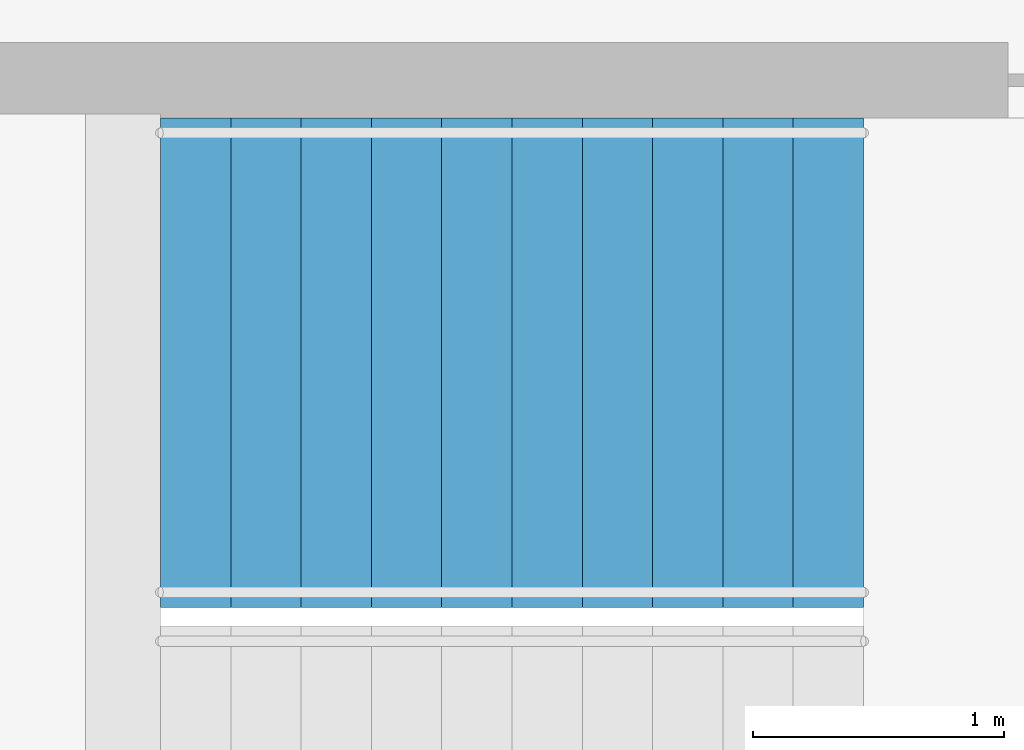
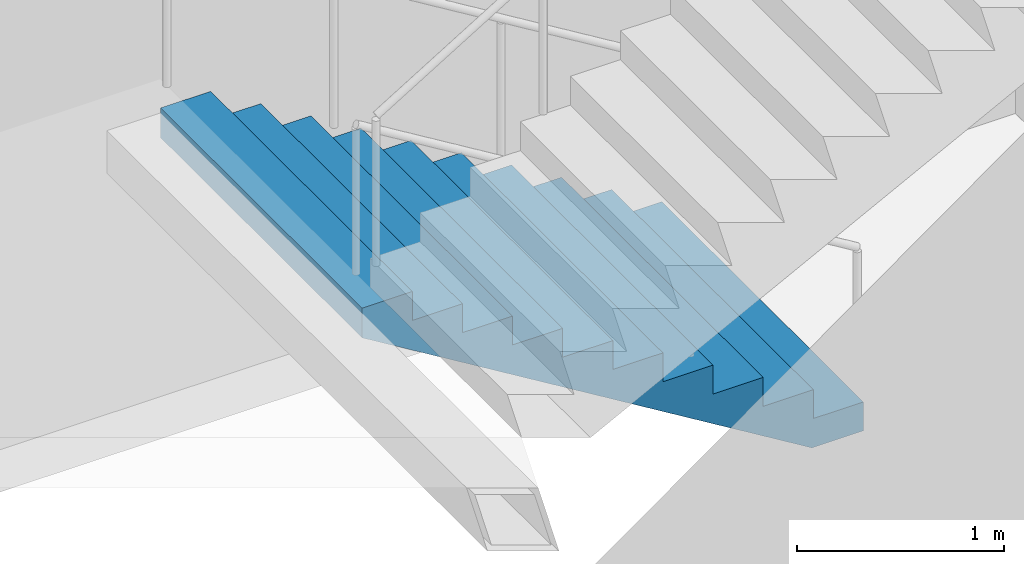
# One storey, part 20 of 21: 1 stair flight, 1 element without a shape of its own.
"""IFC4 building model written with IfcOpenShell, lengths in metres."""

from ifc_helpers import new_model, si_unit, direction, frame, origin, place, context, subcontext, project, spatial, triangles, material, type_object, element, aggregate, save


model = new_model("IFC4")

# Units and contexts
model_context = context("Model", 3, precision=1e-05, world=origin(), true_north=direction((0.0, 1.0)))
body_context = subcontext(model_context, "Body", "Model", "MODEL_VIEW")
ifc_project = project(units=[si_unit("LENGTHUNIT", "METRE"), si_unit("AREAUNIT", "SQUARE_METRE"), si_unit("VOLUMEUNIT", "CUBIC_METRE"), si_unit("PLANEANGLEUNIT", "RADIAN"), si_unit("MASSUNIT", "GRAM", prefix="KILO")], contexts=[model_context])

# Site, building, storey
site_placement = place(None, origin())
site = spatial("IfcSite", under=ifc_project, at=site_placement, CompositionType="ELEMENT")
building_placement = place(site_placement, origin())
building = spatial("IfcBuilding", under=site, at=building_placement, Name="Orbita Commons", CompositionType="ELEMENT")
storey_placement = place(building_placement, frame((0.0, 0.0, 106.89990234375)))
storey = spatial("IfcBuildingStorey", under=building, at=storey_placement, Name="L26", CompositionType="ELEMENT", Elevation=106.89990234375)

# Stair, stair flight
ifc_material_1 = material(Name="Precast concrete C40/50", Category="concrete")
stair_type = type_object("IfcStairType", Name="Exit stair S2 2 flights 11 risers 170", PredefinedType="HALF_TURN_STAIR", material=ifc_material_1)
stair_placement = place(storey_placement, origin())
stair = element("IfcStair", 1, at=stair_placement, inside=storey, type_object=stair_type, Name="Exit stair S2 L26", PredefinedType="HALF_TURN_STAIR")
ifc_material_2 = material(Name="Precast concrete C40/50", Category="concrete")
stair_flight_type = type_object("IfcStairFlightType", Name="Stair flight 11 risers 170 x 280", PredefinedType="STRAIGHT", material=ifc_material_2)
stair_flight_placement = place(storey_placement, frame((63.550048828125, 29.27490234375, 0.0), z_axis=(0.0, 0.0, 1.0), x_axis=(-1.0, 0.0, 0.0)))
stair_flight = element("IfcStairFlight", 2, at=stair_flight_placement, type_object=stair_flight_type, Name="S2 flight 1", NumberOfRisers=11, NumberOfTreads=10, PredefinedType="STRAIGHT", RiserHeight=0.170454545, TreadLength=0.28, context=body_context, shape_type="Tessellation", body=[
    triangles([(0.0, 0.974976, 0.0), (0.0, 0.974976, 0.021307), (0.0, 0.81248, 0.021307), (0.0, 0.81248, 0.0), (0.0, 0.649984, 0.021307), (0.0, 0.649984, 0.0), (0.0, 0.487488, 0.021307), (0.0, 0.487488, 0.0), (0.0, 0.324992, 0.021307), (0.0, 0.324992, 0.0), (0.0, 0.162496, 0.021307), (0.0, 0.162496, 0.0), (0.0, 0.0, 0.021307), (0.0, 0.0, 0.0), (0.0, -0.162496, 0.021307), (0.0, -0.162496, 0.0), (0.0, -0.324992, 0.021307), (0.0, -0.324992, 0.0), (0.0, -0.487488, 0.021307), (0.0, -0.487488, 0.0), (0.0, -0.649984, 0.021307), (0.0, -0.649984, 0.0), (0.0, -0.81248, 0.021307), (0.0, -0.81248, 0.0), (0.0, -0.974976, 0.021307), (0.0, -0.974976, 0.0), (0.0, 0.974976, 0.042614), (0.0, 0.81248, 0.042614), (0.0, 0.649984, 0.042614), (0.0, 0.487488, 0.042614), (0.0, 0.324992, 0.042614), (0.0, 0.162496, 0.042614), (0.0, 0.0, 0.042614), (0.0, -0.162496, 0.042614), (0.0, -0.324992, 0.042614), (0.0, -0.487488, 0.042614), (0.0, -0.649984, 0.042614), (0.0, -0.81248, 0.042614), (0.0, -0.974976, 0.042614), (0.0, 0.974976, 0.06392), (0.0, 0.81248, 0.06392), (0.0, 0.649984, 0.06392), (0.0, 0.487488, 0.06392), (0.0, 0.324992, 0.06392), (0.0, 0.162496, 0.06392), (0.0, 0.0, 0.06392), (0.0, -0.162496, 0.06392), (0.0, -0.324992, 0.06392), (0.0, -0.487488, 0.06392), (0.0, -0.649984, 0.06392), (0.0, -0.81248, 0.06392), (0.0, -0.974976, 0.06392), (0.0, 0.974976, 0.085227), (0.0, 0.81248, 0.085227), (0.0, 0.649984, 0.085227), (0.0, 0.487488, 0.085227), (0.0, 0.324992, 0.085227), (0.0, 0.162496, 0.085227), (0.0, 0.0, 0.085227), (0.0, -0.162496, 0.085227), (0.0, -0.324992, 0.085227), (0.0, -0.487488, 0.085227), (0.0, -0.649984, 0.085227), (0.0, -0.81248, 0.085227), (0.0, -0.974976, 0.085227), (0.0, 0.974976, 0.106534), (0.0, 0.81248, 0.106534), (0.0, 0.649984, 0.106534), (0.0, 0.487488, 0.106534), (0.0, 0.324992, 0.106534), (0.0, 0.162496, 0.106534), (0.0, 0.0, 0.106534), (0.0, -0.162496, 0.106534), (0.0, -0.324992, 0.106534), (0.0, -0.487488, 0.106534), (0.0, -0.649984, 0.106534), (0.0, -0.81248, 0.106534), (0.0, -0.974976, 0.106534), (0.0, 0.974976, 0.127841), (0.0, 0.81248, 0.127841), (0.0, 0.649984, 0.127841), (0.0, 0.487488, 0.127841), (0.0, 0.324992, 0.127841), (0.0, 0.162496, 0.127841), (0.0, 0.0, 0.127841), (0.0, -0.162496, 0.127841), (0.0, -0.324992, 0.127841), (0.0, -0.487488, 0.127841), (0.0, -0.649984, 0.127841), (0.0, -0.81248, 0.127841), (0.0, -0.974976, 0.127841), (0.0, 0.974976, 0.149148), (0.0, 0.81248, 0.149148), (0.0, 0.649984, 0.149148), (0.0, 0.487488, 0.149148), (0.0, 0.324992, 0.149148), (0.0, 0.162496, 0.149148), (0.0, 0.0, 0.149148), (0.0, -0.162496, 0.149148), (0.0, -0.324992, 0.149148), (0.0, -0.487488, 0.149148), (0.0, -0.649984, 0.149148), (0.0, -0.81248, 0.149148), (0.0, -0.974976, 0.149148), (0.0, 0.974976, 0.170455), (0.0, 0.81248, 0.170455), (0.0, 0.649984, 0.170455), (0.0, 0.487488, 0.170455), (0.0, 0.324992, 0.170455), (0.0, 0.162496, 0.170455), (0.0, 0.0, 0.170455), (0.0, -0.162496, 0.170455), (0.0, -0.324992, 0.170455), (0.0, -0.487488, 0.170455), (0.0, -0.649984, 0.170455), (0.0, -0.81248, 0.170455), (0.0, -0.974976, 0.170455), (0.28, 0.974976, 0.170455), (0.28, 0.81248, 0.170455), (0.28, 0.649984, 0.170455), (0.28, 0.487488, 0.170455), (0.28, 0.324992, 0.170455), (0.28, 0.162496, 0.170455), (0.28, 0.0, 0.170455), (0.28, -0.162496, 0.170455), (0.28, -0.324992, 0.170455), (0.28, -0.487488, 0.170455), (0.28, -0.649984, 0.170455), (0.28, -0.81248, 0.170455), (0.28, -0.974976, 0.170455), (0.28, 0.974976, 0.340909), (0.28, 0.81248, 0.340909), (0.28, 0.649984, 0.340909), (0.28, 0.487488, 0.340909), (0.28, 0.324992, 0.340909), (0.28, 0.162496, 0.340909), (0.28, 0.0, 0.340909), (0.28, -0.162496, 0.340909), (0.28, -0.324992, 0.340909), (0.28, -0.487488, 0.340909), (0.28, -0.649984, 0.340909), (0.28, -0.81248, 0.340909), (0.28, -0.974976, 0.340909), (0.56, 0.974976, 0.340909), (0.56, 0.81248, 0.340909), (0.56, 0.649984, 0.340909), (0.56, 0.487488, 0.340909), (0.56, 0.324992, 0.340909), (0.56, 0.162496, 0.340909), (0.56, 0.0, 0.340909), (0.56, -0.162496, 0.340909), (0.56, -0.324992, 0.340909), (0.56, -0.487488, 0.340909), (0.56, -0.649984, 0.340909), (0.56, -0.81248, 0.340909), (0.56, -0.974976, 0.340909), (0.56, 0.974976, 0.511364), (0.56, 0.81248, 0.511364), (0.56, 0.649984, 0.511364), (0.56, 0.487488, 0.511364), (0.56, 0.324992, 0.511364), (0.56, 0.162496, 0.511364), (0.56, 0.0, 0.511364), (0.56, -0.162496, 0.511364), (0.56, -0.324992, 0.511364), (0.56, -0.487488, 0.511364), (0.56, -0.649984, 0.511364), (0.56, -0.81248, 0.511364), (0.56, -0.974976, 0.511364), (0.84, 0.974976, 0.511364), (0.84, 0.81248, 0.511364), (0.84, 0.649984, 0.511364), (0.84, 0.487488, 0.511364), (0.84, 0.324992, 0.511364), (0.84, 0.162496, 0.511364), (0.84, 0.0, 0.511364), (0.84, -0.162496, 0.511364), (0.84, -0.324992, 0.511364), (0.84, -0.487488, 0.511364), (0.84, -0.649984, 0.511364), (0.84, -0.81248, 0.511364), (0.84, -0.974976, 0.511364), (0.84, 0.974976, 0.681818), (0.84, 0.81248, 0.681818), (0.84, 0.649984, 0.681818), (0.84, 0.487488, 0.681818), (0.84, 0.324992, 0.681818), (0.84, 0.162496, 0.681818), (0.84, 0.0, 0.681818), (0.84, -0.162496, 0.681818), (0.84, -0.324992, 0.681818), (0.84, -0.487488, 0.681818), (0.84, -0.649984, 0.681818), (0.84, -0.81248, 0.681818), (0.84, -0.974976, 0.681818), (1.12, 0.974976, 0.681818), (1.12, 0.81248, 0.681818), (1.12, 0.649984, 0.681818), (1.12, 0.487488, 0.681818), (1.12, 0.324992, 0.681818), (1.12, 0.162496, 0.681818), (1.12, 0.0, 0.681818), (1.12, -0.162496, 0.681818), (1.12, -0.324992, 0.681818), (1.12, -0.487488, 0.681818), (1.12, -0.649984, 0.681818), (1.12, -0.81248, 0.681818), (1.12, -0.974976, 0.681818), (1.12, 0.974976, 0.852273), (1.12, 0.81248, 0.852273), (1.12, 0.649984, 0.852273), (1.12, 0.487488, 0.852273), (1.12, 0.324992, 0.852273), (1.12, 0.162496, 0.852273), (1.12, 0.0, 0.852273), (1.12, -0.162496, 0.852273), (1.12, -0.324992, 0.852273), (1.12, -0.487488, 0.852273), (1.12, -0.649984, 0.852273), (1.12, -0.81248, 0.852273), (1.12, -0.974976, 0.852273), (1.4, 0.974976, 0.852273), (1.4, 0.81248, 0.852273), (1.4, 0.649984, 0.852273), (1.4, 0.487488, 0.852273), (1.4, 0.324992, 0.852273), (1.4, 0.162496, 0.852273), (1.4, 0.0, 0.852273), (1.4, -0.162496, 0.852273), (1.4, -0.324992, 0.852273), (1.4, -0.487488, 0.852273), (1.4, -0.649984, 0.852273), (1.4, -0.81248, 0.852273), (1.4, -0.974976, 0.852273), (1.4, 0.974976, 1.022727), (1.4, 0.81248, 1.022727), (1.4, 0.649984, 1.022727), (1.4, 0.487488, 1.022727), (1.4, 0.324992, 1.022727), (1.4, 0.162496, 1.022727), (1.4, 0.0, 1.022727), (1.4, -0.162496, 1.022727), (1.4, -0.324992, 1.022727), (1.4, -0.487488, 1.022727), (1.4, -0.649984, 1.022727), (1.4, -0.81248, 1.022727), (1.4, -0.974976, 1.022727), (1.68, 0.974976, 1.022727), (1.68, 0.81248, 1.022727), (1.68, 0.649984, 1.022727), (1.68, 0.487488, 1.022727), (1.68, 0.324992, 1.022727), (1.68, 0.162496, 1.022727), (1.68, 0.0, 1.022727), (1.68, -0.162496, 1.022727), (1.68, -0.324992, 1.022727), (1.68, -0.487488, 1.022727), (1.68, -0.649984, 1.022727), (1.68, -0.81248, 1.022727), (1.68, -0.974976, 1.022727), (1.68, 0.974976, 1.193182), (1.68, 0.81248, 1.193182), (1.68, 0.649984, 1.193182), (1.68, 0.487488, 1.193182), (1.68, 0.324992, 1.193182), (1.68, 0.162496, 1.193182), (1.68, 0.0, 1.193182), (1.68, -0.162496, 1.193182), (1.68, -0.324992, 1.193182), (1.68, -0.487488, 1.193182), (1.68, -0.649984, 1.193182), (1.68, -0.81248, 1.193182), (1.68, -0.974976, 1.193182), (1.96, 0.974976, 1.193182), (1.96, 0.81248, 1.193182), (1.96, 0.649984, 1.193182), (1.96, 0.487488, 1.193182), (1.96, 0.324992, 1.193182), (1.96, 0.162496, 1.193182), (1.96, 0.0, 1.193182), (1.96, -0.162496, 1.193182), (1.96, -0.324992, 1.193182), (1.96, -0.487488, 1.193182), (1.96, -0.649984, 1.193182), (1.96, -0.81248, 1.193182), (1.96, -0.974976, 1.193182), (1.96, 0.974976, 1.363636), (1.96, 0.81248, 1.363636), (1.96, 0.649984, 1.363636), (1.96, 0.487488, 1.363636), (1.96, 0.324992, 1.363636), (1.96, 0.162496, 1.363636), (1.96, 0.0, 1.363636), (1.96, -0.162496, 1.363636), (1.96, -0.324992, 1.363636), (1.96, -0.487488, 1.363636), (1.96, -0.649984, 1.363636), (1.96, -0.81248, 1.363636), (1.96, -0.974976, 1.363636), (2.24, 0.974976, 1.363636), (2.24, 0.81248, 1.363636), (2.24, 0.649984, 1.363636), (2.24, 0.487488, 1.363636), (2.24, 0.324992, 1.363636), (2.24, 0.162496, 1.363636), (2.24, 0.0, 1.363636), (2.24, -0.162496, 1.363636), (2.24, -0.324992, 1.363636), (2.24, -0.487488, 1.363636), (2.24, -0.649984, 1.363636), (2.24, -0.81248, 1.363636), (2.24, -0.974976, 1.363636), (2.24, 0.974976, 1.534091), (2.24, 0.81248, 1.534091), (2.24, 0.649984, 1.534091), (2.24, 0.487488, 1.534091), (2.24, 0.324992, 1.534091), (2.24, 0.162496, 1.534091), (2.24, 0.0, 1.534091), (2.24, -0.162496, 1.534091), (2.24, -0.324992, 1.534091), (2.24, -0.487488, 1.534091), (2.24, -0.649984, 1.534091), (2.24, -0.81248, 1.534091), (2.24, -0.974976, 1.534091), (2.52, 0.974976, 1.534091), (2.52, 0.81248, 1.534091), (2.52, 0.649984, 1.534091), (2.52, 0.487488, 1.534091), (2.52, 0.324992, 1.534091), (2.52, 0.162496, 1.534091), (2.52, 0.0, 1.534091), (2.52, -0.162496, 1.534091), (2.52, -0.324992, 1.534091), (2.52, -0.487488, 1.534091), (2.52, -0.649984, 1.534091), (2.52, -0.81248, 1.534091), (2.52, -0.974976, 1.534091), (2.52, 0.974976, 1.704545), (2.52, 0.81248, 1.704545), (2.52, 0.649984, 1.704545), (2.52, 0.487488, 1.704545), (2.52, 0.324992, 1.704545), (2.52, 0.162496, 1.704545), (2.52, 0.0, 1.704545), (2.52, -0.162496, 1.704545), (2.52, -0.324992, 1.704545), (2.52, -0.487488, 1.704545), (2.52, -0.649984, 1.704545), (2.52, -0.81248, 1.704545), (2.52, -0.974976, 1.704545), (2.8, 0.974976, 1.704545), (2.8, 0.81248, 1.704545), (2.8, 0.649984, 1.704545), (2.8, 0.487488, 1.704545), (2.8, 0.324992, 1.704545), (2.8, 0.162496, 1.704545), (2.8, 0.0, 1.704545), (2.8, -0.162496, 1.704545), (2.8, -0.324992, 1.704545), (2.8, -0.487488, 1.704545), (2.8, -0.649984, 1.704545), (2.8, -0.81248, 1.704545), (2.8, -0.974976, 1.704545), (2.8, 0.974976, 1.682609), (2.8, 0.81248, 1.682609), (2.8, 0.649984, 1.682609), (2.8, 0.487488, 1.682609), (2.8, 0.324992, 1.682609), (2.8, 0.162496, 1.682609), (2.8, 0.0, 1.682609), (2.8, -0.162496, 1.682609), (2.8, -0.324992, 1.682609), (2.8, -0.487488, 1.682609), (2.8, -0.649984, 1.682609), (2.8, -0.81248, 1.682609), (2.8, -0.974976, 1.682609), (2.8, 0.974976, 1.660672), (2.8, 0.81248, 1.660672), (2.8, 0.649984, 1.660672), (2.8, 0.487488, 1.660672), (2.8, 0.324992, 1.660672), (2.8, 0.162496, 1.660672), (2.8, 0.0, 1.660672), (2.8, -0.162496, 1.660672), (2.8, -0.324992, 1.660672), (2.8, -0.487488, 1.660672), (2.8, -0.649984, 1.660672), (2.8, -0.81248, 1.660672), (2.8, -0.974976, 1.660672), (2.8, 0.974976, 1.638735), (2.8, 0.81248, 1.638735), (2.8, 0.649984, 1.638735), (2.8, 0.487488, 1.638735), (2.8, 0.324992, 1.638735), (2.8, 0.162496, 1.638735), (2.8, 0.0, 1.638735), (2.8, -0.162496, 1.638735), (2.8, -0.324992, 1.638735), (2.8, -0.487488, 1.638735), (2.8, -0.649984, 1.638735), (2.8, -0.81248, 1.638735), (2.8, -0.974976, 1.638735), (2.8, 0.974976, 1.616798), (2.8, 0.81248, 1.616798), (2.8, 0.649984, 1.616798), (2.8, 0.487488, 1.616798), (2.8, 0.324992, 1.616798), (2.8, 0.162496, 1.616798), (2.8, 0.0, 1.616798), (2.8, -0.162496, 1.616798), (2.8, -0.324992, 1.616798), (2.8, -0.487488, 1.616798), (2.8, -0.649984, 1.616798), (2.8, -0.81248, 1.616798), (2.8, -0.974976, 1.616798), (2.8, 0.974976, 1.594861), (2.8, 0.81248, 1.594861), (2.8, 0.649984, 1.594861), (2.8, 0.487488, 1.594861), (2.8, 0.324992, 1.594861), (2.8, 0.162496, 1.594861), (2.8, 0.0, 1.594861), (2.8, -0.162496, 1.594861), (2.8, -0.324992, 1.594861), (2.8, -0.487488, 1.594861), (2.8, -0.649984, 1.594861), (2.8, -0.81248, 1.594861), (2.8, -0.974976, 1.594861), (2.8, 0.974976, 1.572925), (2.8, 0.81248, 1.572925), (2.8, 0.649984, 1.572925), (2.8, 0.487488, 1.572925), (2.8, 0.324992, 1.572925), (2.8, 0.162496, 1.572925), (2.8, 0.0, 1.572925), (2.8, -0.162496, 1.572925), (2.8, -0.324992, 1.572925), (2.8, -0.487488, 1.572925), (2.8, -0.649984, 1.572925), (2.8, -0.81248, 1.572925), (2.8, -0.974976, 1.572925), (2.8, 0.974976, 1.550988), (2.8, 0.81248, 1.550988), (2.8, 0.649984, 1.550988), (2.8, 0.487488, 1.550988), (2.8, 0.324992, 1.550988), (2.8, 0.162496, 1.550988), (2.8, 0.0, 1.550988), (2.8, -0.162496, 1.550988), (2.8, -0.324992, 1.550988), (2.8, -0.487488, 1.550988), (2.8, -0.649984, 1.550988), (2.8, -0.81248, 1.550988), (2.8, -0.974976, 1.550988), (2.8, 0.974976, 1.529051), (2.8, 0.81248, 1.529051), (2.8, 0.649984, 1.529051), (2.8, 0.487488, 1.529051), (2.8, 0.324992, 1.529051), (2.8, 0.162496, 1.529051), (2.8, 0.0, 1.529051), (2.8, -0.162496, 1.529051), (2.8, -0.324992, 1.529051), (2.8, -0.487488, 1.529051), (2.8, -0.649984, 1.529051), (2.8, -0.81248, 1.529051), (2.8, -0.974976, 1.529051), (0.288279, 0.974976, 0.0), (0.288279, 0.81248, 0.0), (0.288279, 0.649984, 0.0), (0.288279, 0.487488, 0.0), (0.288279, 0.324992, 0.0), (0.288279, 0.162496, 0.0), (0.288279, 0.0, 0.0), (0.288279, -0.162496, 0.0), (0.288279, -0.324992, 0.0), (0.288279, -0.487488, 0.0), (0.288279, -0.649984, 0.0), (0.288279, -0.81248, 0.0), (0.288279, -0.974976, 0.0)], [[3, 2, 1], [4, 3, 1], [5, 3, 4], [6, 5, 4], [7, 5, 6], [8, 7, 6], [9, 7, 8], [10, 9, 8], [11, 9, 10], [12, 11, 10], [13, 11, 12], [14, 13, 12], [15, 13, 14], [16, 15, 14], [17, 15, 16], [18, 17, 16], [19, 17, 18], [20, 19, 18], [21, 19, 20], [22, 21, 20], [23, 21, 22], [24, 23, 22], [25, 23, 24], [26, 25, 24], [28, 27, 2], [3, 28, 2], [29, 28, 3], [5, 29, 3], [30, 29, 5], [7, 30, 5], [31, 30, 7], [9, 31, 7], [32, 31, 9], [11, 32, 9], [33, 32, 11], [13, 33, 11], [34, 33, 13], [15, 34, 13], [35, 34, 15], [17, 35, 15], [36, 35, 17], [19, 36, 17], [37, 36, 19], [21, 37, 19], [38, 37, 21], [23, 38, 21], [39, 38, 23], [25, 39, 23], [41, 40, 27], [28, 41, 27], [42, 41, 28], [29, 42, 28], [43, 42, 29], [30, 43, 29], [44, 43, 30], [31, 44, 30], [45, 44, 31], [32, 45, 31], [46, 45, 32], [33, 46, 32], [47, 46, 33], [34, 47, 33], [48, 47, 34], [35, 48, 34], [49, 48, 35], [36, 49, 35], [50, 49, 36], [37, 50, 36], [51, 50, 37], [38, 51, 37], [52, 51, 38], [39, 52, 38], [54, 53, 40], [41, 54, 40], [55, 54, 41], [42, 55, 41], [56, 55, 42], [43, 56, 42], [57, 56, 43], [44, 57, 43], [58, 57, 44], [45, 58, 44], [59, 58, 45], [46, 59, 45], [60, 59, 46], [47, 60, 46], [61, 60, 47], [48, 61, 47], [62, 61, 48], [49, 62, 48], [63, 62, 49], [50, 63, 49], [64, 63, 50], [51, 64, 50], [65, 64, 51], [52, 65, 51], [67, 66, 53], [54, 67, 53], [68, 67, 54], [55, 68, 54], [69, 68, 55], [56, 69, 55], [70, 69, 56], [57, 70, 56], [71, 70, 57], [58, 71, 57], [72, 71, 58], [59, 72, 58], [73, 72, 59], [60, 73, 59], [74, 73, 60], [61, 74, 60], [75, 74, 61], [62, 75, 61], [76, 75, 62], [63, 76, 62], [77, 76, 63], [64, 77, 63], [78, 77, 64], [65, 78, 64], [80, 79, 66], [67, 80, 66], [81, 80, 67], [68, 81, 67], [82, 81, 68], [69, 82, 68], [83, 82, 69], [70, 83, 69], [84, 83, 70], [71, 84, 70], [85, 84, 71], [72, 85, 71], [86, 85, 72], [73, 86, 72], [87, 86, 73], [74, 87, 73], [88, 87, 74], [75, 88, 74], [89, 88, 75], [76, 89, 75], [90, 89, 76], [77, 90, 76], [91, 90, 77], [78, 91, 77], [93, 92, 79], [80, 93, 79], [94, 93, 80], [81, 94, 80], [95, 94, 81], [82, 95, 81], [96, 95, 82], [83, 96, 82], [97, 96, 83], [84, 97, 83], [98, 97, 84], [85, 98, 84], [99, 98, 85], [86, 99, 85], [100, 99, 86], [87, 100, 86], [101, 100, 87], [88, 101, 87], [102, 101, 88], [89, 102, 88], [103, 102, 89], [90, 103, 89], [104, 103, 90], [91, 104, 90], [106, 105, 92], [93, 106, 92], [107, 106, 93], [94, 107, 93], [108, 107, 94], [95, 108, 94], [109, 108, 95], [96, 109, 95], [110, 109, 96], [97, 110, 96], [111, 110, 97], [98, 111, 97], [112, 111, 98], [99, 112, 98], [113, 112, 99], [100, 113, 99], [114, 113, 100], [101, 114, 100], [115, 114, 101], [102, 115, 101], [116, 115, 102], [103, 116, 102], [117, 116, 103], [104, 117, 103], [119, 118, 105], [106, 119, 105], [120, 119, 106], [107, 120, 106], [121, 120, 107], [108, 121, 107], [122, 121, 108], [109, 122, 108], [123, 122, 109], [110, 123, 109], [124, 123, 110], [111, 124, 110], [125, 124, 111], [112, 125, 111], [126, 125, 112], [113, 126, 112], [127, 126, 113], [114, 127, 113], [128, 127, 114], [115, 128, 114], [129, 128, 115], [116, 129, 115], [130, 129, 116], [117, 130, 116], [132, 131, 118], [119, 132, 118], [133, 132, 119], [120, 133, 119], [134, 133, 120], [121, 134, 120], [135, 134, 121], [122, 135, 121], [136, 135, 122], [123, 136, 122], [137, 136, 123], [124, 137, 123], [138, 137, 124], [125, 138, 124], [139, 138, 125], [126, 139, 125], [140, 139, 126], [127, 140, 126], [141, 140, 127], [128, 141, 127], [142, 141, 128], [129, 142, 128], [143, 142, 129], [130, 143, 129], [145, 144, 131], [132, 145, 131], [146, 145, 132], [133, 146, 132], [147, 146, 133], [134, 147, 133], [148, 147, 134], [135, 148, 134], [149, 148, 135], [136, 149, 135], [150, 149, 136], [137, 150, 136], [151, 150, 137], [138, 151, 137], [152, 151, 138], [139, 152, 138], [153, 152, 139], [140, 153, 139], [154, 153, 140], [141, 154, 140], [155, 154, 141], [142, 155, 141], [156, 155, 142], [143, 156, 142], [158, 157, 144], [145, 158, 144], [159, 158, 145], [146, 159, 145], [160, 159, 146], [147, 160, 146], [161, 160, 147], [148, 161, 147], [162, 161, 148], [149, 162, 148], [163, 162, 149], [150, 163, 149], [164, 163, 150], [151, 164, 150], [165, 164, 151], [152, 165, 151], [166, 165, 152], [153, 166, 152], [167, 166, 153], [154, 167, 153], [168, 167, 154], [155, 168, 154], [169, 168, 155], [156, 169, 155], [171, 170, 157], [158, 171, 157], [172, 171, 158], [159, 172, 158], [173, 172, 159], [160, 173, 159], [174, 173, 160], [161, 174, 160], [175, 174, 161], [162, 175, 161], [176, 175, 162], [163, 176, 162], [177, 176, 163], [164, 177, 163], [178, 177, 164], [165, 178, 164], [179, 178, 165], [166, 179, 165], [180, 179, 166], [167, 180, 166], [181, 180, 167], [168, 181, 167], [182, 181, 168], [169, 182, 168], [184, 183, 170], [171, 184, 170], [185, 184, 171], [172, 185, 171], [186, 185, 172], [173, 186, 172], [187, 186, 173], [174, 187, 173], [188, 187, 174], [175, 188, 174], [189, 188, 175], [176, 189, 175], [190, 189, 176], [177, 190, 176], [191, 190, 177], [178, 191, 177], [192, 191, 178], [179, 192, 178], [193, 192, 179], [180, 193, 179], [194, 193, 180], [181, 194, 180], [195, 194, 181], [182, 195, 181], [197, 196, 183], [184, 197, 183], [198, 197, 184], [185, 198, 184], [199, 198, 185], [186, 199, 185], [200, 199, 186], [187, 200, 186], [201, 200, 187], [188, 201, 187], [202, 201, 188], [189, 202, 188], [203, 202, 189], [190, 203, 189], [204, 203, 190], [191, 204, 190], [205, 204, 191], [192, 205, 191], [206, 205, 192], [193, 206, 192], [207, 206, 193], [194, 207, 193], [208, 207, 194], [195, 208, 194], [210, 209, 196], [197, 210, 196], [211, 210, 197], [198, 211, 197], [212, 211, 198], [199, 212, 198], [213, 212, 199], [200, 213, 199], [214, 213, 200], [201, 214, 200], [215, 214, 201], [202, 215, 201], [216, 215, 202], [203, 216, 202], [217, 216, 203], [204, 217, 203], [218, 217, 204], [205, 218, 204], [219, 218, 205], [206, 219, 205], [220, 219, 206], [207, 220, 206], [221, 220, 207], [208, 221, 207], [223, 222, 209], [210, 223, 209], [224, 223, 210], [211, 224, 210], [225, 224, 211], [212, 225, 211], [226, 225, 212], [213, 226, 212], [227, 226, 213], [214, 227, 213], [228, 227, 214], [215, 228, 214], [229, 228, 215], [216, 229, 215], [230, 229, 216], [217, 230, 216], [231, 230, 217], [218, 231, 217], [232, 231, 218], [219, 232, 218], [233, 232, 219], [220, 233, 219], [234, 233, 220], [221, 234, 220], [236, 235, 222], [223, 236, 222], [237, 236, 223], [224, 237, 223], [238, 237, 224], [225, 238, 224], [239, 238, 225], [226, 239, 225], [240, 239, 226], [227, 240, 226], [241, 240, 227], [228, 241, 227], [242, 241, 228], [229, 242, 228], [243, 242, 229], [230, 243, 229], [244, 243, 230], [231, 244, 230], [245, 244, 231], [232, 245, 231], [246, 245, 232], [233, 246, 232], [247, 246, 233], [234, 247, 233], [249, 248, 235], [236, 249, 235], [250, 249, 236], [237, 250, 236], [251, 250, 237], [238, 251, 237], [252, 251, 238], [239, 252, 238], [253, 252, 239], [240, 253, 239], [254, 253, 240], [241, 254, 240], [255, 254, 241], [242, 255, 241], [256, 255, 242], [243, 256, 242], [257, 256, 243], [244, 257, 243], [258, 257, 244], [245, 258, 244], [259, 258, 245], [246, 259, 245], [260, 259, 246], [247, 260, 246], [262, 261, 248], [249, 262, 248], [263, 262, 249], [250, 263, 249], [264, 263, 250], [251, 264, 250], [265, 264, 251], [252, 265, 251], [266, 265, 252], [253, 266, 252], [267, 266, 253], [254, 267, 253], [268, 267, 254], [255, 268, 254], [269, 268, 255], [256, 269, 255], [270, 269, 256], [257, 270, 256], [271, 270, 257], [258, 271, 257], [272, 271, 258], [259, 272, 258], [273, 272, 259], [260, 273, 259], [275, 274, 261], [262, 275, 261], [276, 275, 262], [263, 276, 262], [277, 276, 263], [264, 277, 263], [278, 277, 264], [265, 278, 264], [279, 278, 265], [266, 279, 265], [280, 279, 266], [267, 280, 266], [281, 280, 267], [268, 281, 267], [282, 281, 268], [269, 282, 268], [283, 282, 269], [270, 283, 269], [284, 283, 270], [271, 284, 270], [285, 284, 271], [272, 285, 271], [286, 285, 272], [273, 286, 272], [288, 287, 274], [275, 288, 274], [289, 288, 275], [276, 289, 275], [290, 289, 276], [277, 290, 276], [291, 290, 277], [278, 291, 277], [292, 291, 278], [279, 292, 278], [293, 292, 279], [280, 293, 279], [294, 293, 280], [281, 294, 280], [295, 294, 281], [282, 295, 281], [296, 295, 282], [283, 296, 282], [297, 296, 283], [284, 297, 283], [298, 297, 284], [285, 298, 284], [299, 298, 285], [286, 299, 285], [301, 300, 287], [288, 301, 287], [302, 301, 288], [289, 302, 288], [303, 302, 289], [290, 303, 289], [304, 303, 290], [291, 304, 290], [305, 304, 291], [292, 305, 291], [306, 305, 292], [293, 306, 292], [307, 306, 293], [294, 307, 293], [308, 307, 294], [295, 308, 294], [309, 308, 295], [296, 309, 295], [310, 309, 296], [297, 310, 296], [311, 310, 297], [298, 311, 297], [312, 311, 298], [299, 312, 298], [314, 313, 300], [301, 314, 300], [315, 314, 301], [302, 315, 301], [316, 315, 302], [303, 316, 302], [317, 316, 303], [304, 317, 303], [318, 317, 304], [305, 318, 304], [319, 318, 305], [306, 319, 305], [320, 319, 306], [307, 320, 306], [321, 320, 307], [308, 321, 307], [322, 321, 308], [309, 322, 308], [323, 322, 309], [310, 323, 309], [324, 323, 310], [311, 324, 310], [325, 324, 311], [312, 325, 311], [327, 326, 313], [314, 327, 313], [328, 327, 314], [315, 328, 314], [329, 328, 315], [316, 329, 315], [330, 329, 316], [317, 330, 316], [331, 330, 317], [318, 331, 317], [332, 331, 318], [319, 332, 318], [333, 332, 319], [320, 333, 319], [334, 333, 320], [321, 334, 320], [335, 334, 321], [322, 335, 321], [336, 335, 322], [323, 336, 322], [337, 336, 323], [324, 337, 323], [338, 337, 324], [325, 338, 324], [340, 339, 326], [327, 340, 326], [341, 340, 327], [328, 341, 327], [342, 341, 328], [329, 342, 328], [343, 342, 329], [330, 343, 329], [344, 343, 330], [331, 344, 330], [345, 344, 331], [332, 345, 331], [346, 345, 332], [333, 346, 332], [347, 346, 333], [334, 347, 333], [348, 347, 334], [335, 348, 334], [349, 348, 335], [336, 349, 335], [350, 349, 336], [337, 350, 336], [351, 350, 337], [338, 351, 337], [353, 352, 339], [340, 353, 339], [354, 353, 340], [341, 354, 340], [355, 354, 341], [342, 355, 341], [356, 355, 342], [343, 356, 342], [357, 356, 343], [344, 357, 343], [358, 357, 344], [345, 358, 344], [359, 358, 345], [346, 359, 345], [360, 359, 346], [347, 360, 346], [361, 360, 347], [348, 361, 347], [362, 361, 348], [349, 362, 348], [363, 362, 349], [350, 363, 349], [364, 363, 350], [351, 364, 350], [366, 365, 352], [353, 366, 352], [367, 366, 353], [354, 367, 353], [368, 367, 354], [355, 368, 354], [369, 368, 355], [356, 369, 355], [370, 369, 356], [357, 370, 356], [371, 370, 357], [358, 371, 357], [372, 371, 358], [359, 372, 358], [373, 372, 359], [360, 373, 359], [374, 373, 360], [361, 374, 360], [375, 374, 361], [362, 375, 361], [376, 375, 362], [363, 376, 362], [377, 376, 363], [364, 377, 363], [379, 378, 365], [366, 379, 365], [380, 379, 366], [367, 380, 366], [381, 380, 367], [368, 381, 367], [382, 381, 368], [369, 382, 368], [383, 382, 369], [370, 383, 369], [384, 383, 370], [371, 384, 370], [385, 384, 371], [372, 385, 371], [386, 385, 372], [373, 386, 372], [387, 386, 373], [374, 387, 373], [388, 387, 374], [375, 388, 374], [389, 388, 375], [376, 389, 375], [390, 389, 376], [377, 390, 376], [392, 391, 378], [379, 392, 378], [393, 392, 379], [380, 393, 379], [394, 393, 380], [381, 394, 380], [395, 394, 381], [382, 395, 381], [396, 395, 382], [383, 396, 382], [397, 396, 383], [384, 397, 383], [398, 397, 384], [385, 398, 384], [399, 398, 385], [386, 399, 385], [400, 399, 386], [387, 400, 386], [401, 400, 387], [388, 401, 387], [402, 401, 388], [389, 402, 388], [403, 402, 389], [390, 403, 389], [405, 404, 391], [392, 405, 391], [406, 405, 392], [393, 406, 392], [407, 406, 393], [394, 407, 393], [408, 407, 394], [395, 408, 394], [409, 408, 395], [396, 409, 395], [410, 409, 396], [397, 410, 396], [411, 410, 397], [398, 411, 397], [412, 411, 398], [399, 412, 398], [413, 412, 399], [400, 413, 399], [414, 413, 400], [401, 414, 400], [415, 414, 401], [402, 415, 401], [416, 415, 402], [403, 416, 402], [418, 417, 404], [405, 418, 404], [419, 418, 405], [406, 419, 405], [420, 419, 406], [407, 420, 406], [421, 420, 407], [408, 421, 407], [422, 421, 408], [409, 422, 408], [423, 422, 409], [410, 423, 409], [424, 423, 410], [411, 424, 410], [425, 424, 411], [412, 425, 411], [426, 425, 412], [413, 426, 412], [427, 426, 413], [414, 427, 413], [428, 427, 414], [415, 428, 414], [429, 428, 415], [416, 429, 415], [431, 430, 417], [418, 431, 417], [432, 431, 418], [419, 432, 418], [433, 432, 419], [420, 433, 419], [434, 433, 420], [421, 434, 420], [435, 434, 421], [422, 435, 421], [436, 435, 422], [423, 436, 422], [437, 436, 423], [424, 437, 423], [438, 437, 424], [425, 438, 424], [439, 438, 425], [426, 439, 425], [440, 439, 426], [427, 440, 426], [441, 440, 427], [428, 441, 427], [442, 441, 428], [429, 442, 428], [444, 443, 430], [431, 444, 430], [445, 444, 431], [432, 445, 431], [446, 445, 432], [433, 446, 432], [447, 446, 433], [434, 447, 433], [448, 447, 434], [435, 448, 434], [449, 448, 435], [436, 449, 435], [450, 449, 436], [437, 450, 436], [451, 450, 437], [438, 451, 437], [452, 451, 438], [439, 452, 438], [453, 452, 439], [440, 453, 439], [454, 453, 440], [441, 454, 440], [455, 454, 441], [442, 455, 441], [457, 456, 443], [444, 457, 443], [458, 457, 444], [445, 458, 444], [459, 458, 445], [446, 459, 445], [460, 459, 446], [447, 460, 446], [461, 460, 447], [448, 461, 447], [462, 461, 448], [449, 462, 448], [463, 462, 449], [450, 463, 449], [464, 463, 450], [451, 464, 450], [465, 464, 451], [452, 465, 451], [466, 465, 452], [453, 466, 452], [467, 466, 453], [454, 467, 453], [468, 467, 454], [455, 468, 454], [470, 469, 456], [457, 470, 456], [471, 470, 457], [458, 471, 457], [472, 471, 458], [459, 472, 458], [473, 472, 459], [460, 473, 459], [474, 473, 460], [461, 474, 460], [475, 474, 461], [462, 475, 461], [476, 475, 462], [463, 476, 462], [477, 476, 463], [464, 477, 463], [478, 477, 464], [465, 478, 464], [479, 478, 465], [466, 479, 465], [480, 479, 466], [467, 480, 466], [481, 480, 467], [468, 481, 467], [4, 1, 469], [470, 4, 469], [6, 4, 470], [471, 6, 470], [8, 6, 471], [472, 8, 471], [10, 8, 472], [473, 10, 472], [12, 10, 473], [474, 12, 473], [14, 12, 474], [475, 14, 474], [16, 14, 475], [476, 16, 475], [18, 16, 476], [477, 18, 476], [20, 18, 477], [478, 20, 477], [22, 20, 478], [479, 22, 478], [24, 22, 479], [480, 24, 479], [26, 24, 480], [481, 26, 480], [456, 469, 1], [26, 481, 468], [443, 456, 1], [26, 468, 455], [430, 443, 1], [26, 455, 442], [417, 430, 1], [26, 442, 429], [404, 417, 1], [26, 429, 416], [391, 404, 1], [26, 416, 403], [378, 391, 1], [26, 403, 390], [365, 378, 1], [26, 390, 377], [339, 352, 365], [377, 364, 351], [326, 339, 365], [377, 351, 338], [300, 313, 326], [338, 325, 312], [300, 326, 365], [377, 338, 312], [274, 287, 300], [312, 299, 286], [274, 300, 365], [377, 312, 286], [248, 261, 274], [286, 273, 260], [248, 274, 365], [377, 286, 260], [222, 235, 248], [260, 247, 234], [222, 248, 365], [377, 260, 234], [196, 209, 222], [234, 221, 208], [196, 222, 365], [377, 234, 208], [170, 183, 196], [208, 195, 182], [170, 196, 365], [377, 208, 182], [144, 157, 170], [182, 169, 156], [144, 170, 365], [377, 182, 156], [118, 131, 144], [156, 143, 130], [118, 144, 365], [377, 156, 130], [118, 365, 1], [26, 377, 130], [92, 105, 118], [130, 117, 104], [79, 92, 118], [130, 104, 91], [66, 79, 118], [130, 91, 78], [53, 66, 118], [130, 78, 65], [40, 53, 118], [130, 65, 52], [27, 40, 118], [130, 52, 39], [2, 27, 118], [130, 39, 25], [1, 2, 118], [130, 25, 26]], closed=True),
])
aggregate(stair, [stair_flight])

save(model, "model.ifc")
